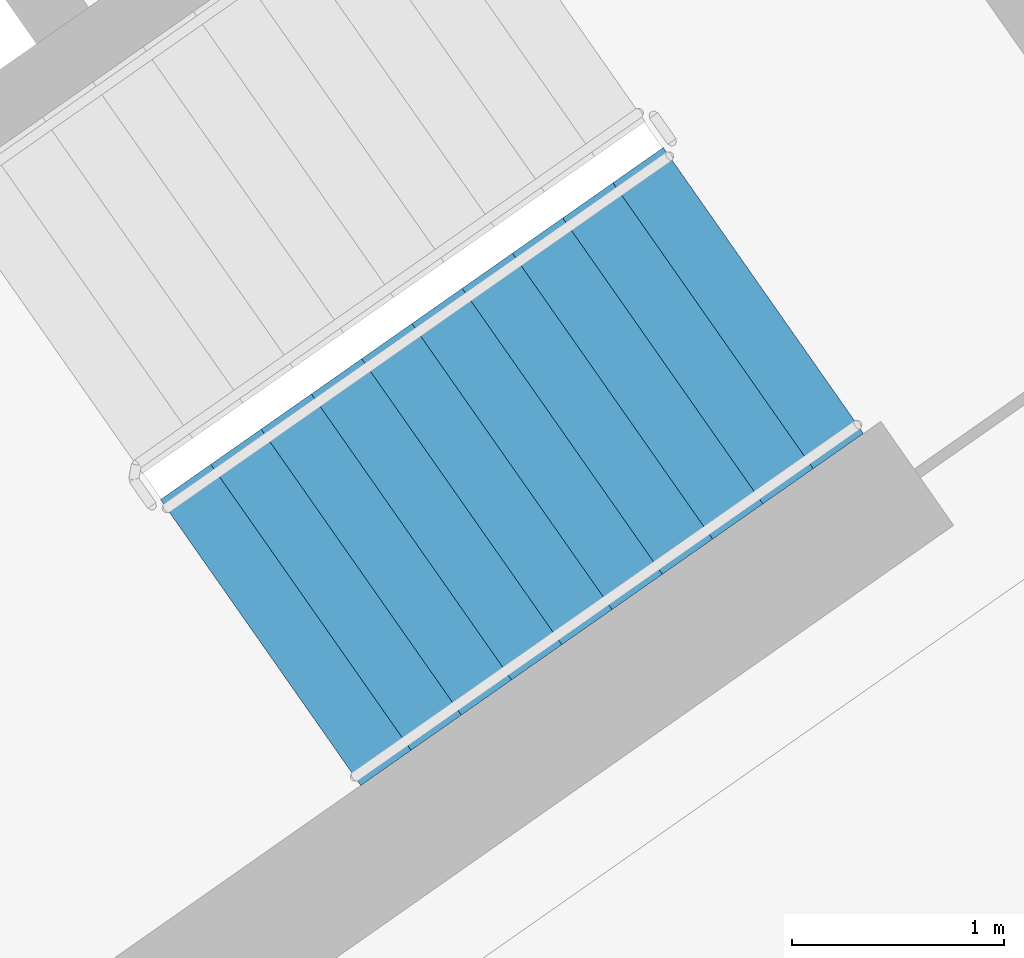
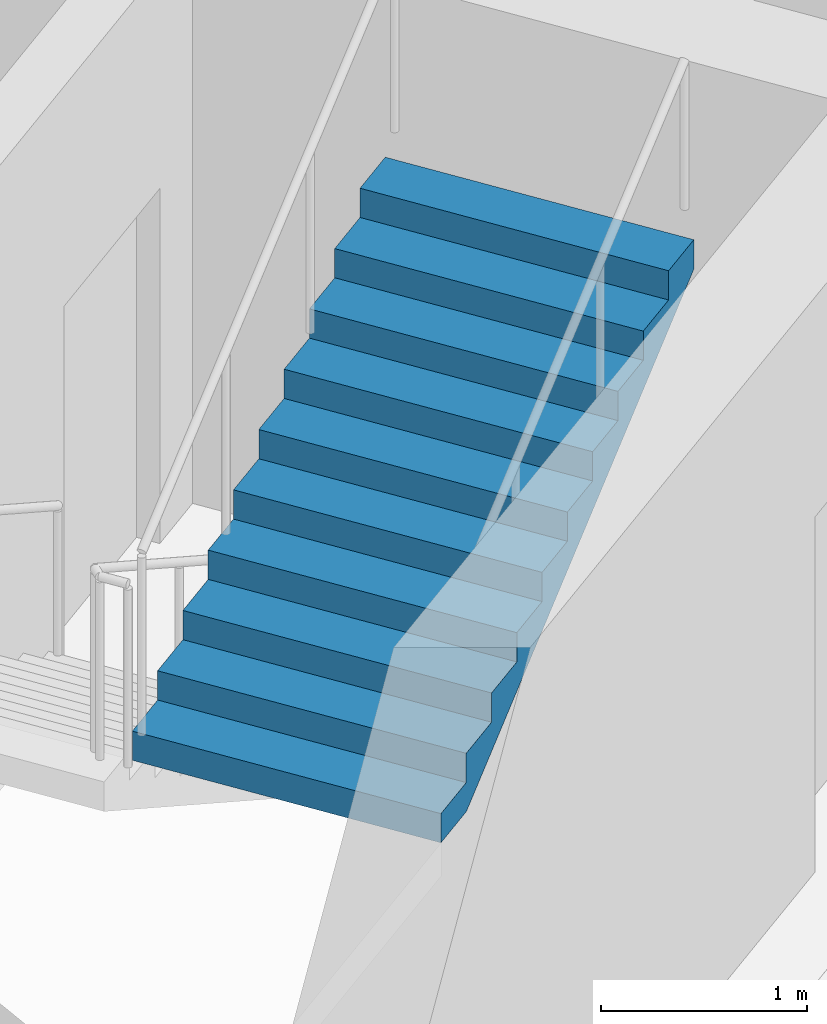
# One storey, part 14 of 27: 1 stair flight, 1 element without a shape of its own.
"""IFC4 building model written with IfcOpenShell, lengths in metres."""

from ifc_helpers import new_model, si_unit, direction, frame, origin, place, context, subcontext, project, spatial, faceted_brep, material, type_object, element, aggregate, save


model = new_model("IFC4")

# Units and contexts
model_context = context("Model", 3, precision=1e-05, world=origin(), true_north=direction((0.0, 1.0)))
body_context = subcontext(model_context, "Body", "Model", "MODEL_VIEW")
ifc_project = project(units=[si_unit("LENGTHUNIT", "METRE"), si_unit("AREAUNIT", "SQUARE_METRE"), si_unit("VOLUMEUNIT", "CUBIC_METRE"), si_unit("PLANEANGLEUNIT", "RADIAN"), si_unit("MASSUNIT", "GRAM", prefix="KILO")], contexts=[model_context])

# Site, building, storey
site_placement = place(None, origin())
site = spatial("IfcSite", under=ifc_project, at=site_placement, CompositionType="ELEMENT")
building_placement = place(site_placement, origin())
building = spatial("IfcBuilding", under=site, at=building_placement, Name="Qamariyya Broadcast Tower", CompositionType="ELEMENT")
storey_placement = place(building_placement, frame((0.0, 0.0, 194.89990234375)))
storey = spatial("IfcBuildingStorey", under=building, at=storey_placement, Name="L46", CompositionType="ELEMENT", Elevation=194.89990234375)

# Stair, stair flight
ifc_material = material(Name="Concrete C50/60", Category="concrete")
stair_type = type_object("IfcStairType", Name="Exit stair 22 risers of 173 mm", PredefinedType="HALF_TURN_STAIR", material=ifc_material)
stair_placement = place(storey_placement, origin())
stair = element("IfcStair", 1, at=stair_placement, inside=storey, type_object=stair_type, Name="L46 Stair E1", PredefinedType="HALF_TURN_STAIR")
stair_flight_type = type_object("IfcStairFlightType", Name="Exit stair flight 11 risers of 173 mm", PredefinedType="STRAIGHT", material=ifc_material)
stair_flight_placement = place(storey_placement, frame((44.693359375, -58.64599609375, 1.900146484375), z_axis=(0.0, 0.0, 1.0), x_axis=(0.819152044289, 0.573576436351, 0.0)))
stair_flight = element("IfcStairFlight", 2, at=stair_flight_placement, type_object=stair_flight_type, Name="ST-E1 flight 2", NumberOfRisers=11, NumberOfTreads=10, PredefinedType="STRAIGHT", RiserHeight=0.172727273, TreadLength=0.29, context=body_context, shape_type="Brep", body=[
    faceted_brep([(0.0, 0.824951171875, 0.0), (0.0, 0.824951171875, 0.172607421875), (0.2900390625, 0.824951171875, 0.172607421875), (0.2900390625, 0.824951171875, 0.345458984375), (0.580078125, 0.824951171875, 0.345458984375), (0.580078125, 0.824951171875, 0.51806640625), (0.8701171875, 0.824951171875, 0.51806640625), (0.8701171875, 0.824951171875, 0.69091796875), (1.159912109375, 0.824951171875, 0.69091796875), (1.159912109375, 0.824951171875, 0.863525390625), (1.449951171875, 0.824951171875, 0.863525390625), (1.449951171875, 0.824951171875, 1.036376953125), (1.739990234375, 0.824951171875, 1.036376953125), (1.739990234375, 0.824951171875, 1.208984375), (2.030029296875, 0.824951171875, 1.208984375), (2.030029296875, 0.824951171875, 1.3818359375), (2.320068359375, 0.824951171875, 1.3818359375), (2.320068359375, 0.824951171875, 1.554443359375), (2.610107421875, 0.824951171875, 1.554443359375), (2.610107421875, 0.824951171875, 1.727294921875), (2.89990234375, 0.824951171875, 1.727294921875), (2.89990234375, 0.824951171875, 1.552734375), (0.29296875, 0.824951171875, 0.0), (0.29296875, -0.824951171875, 0.0), (2.89990234375, -0.824951171875, 1.552734375), (2.89990234375, -0.824951171875, 1.727294921875), (2.610107421875, -0.824951171875, 1.727294921875), (2.610107421875, -0.824951171875, 1.554443359375), (2.320068359375, -0.824951171875, 1.554443359375), (2.320068359375, -0.824951171875, 1.3818359375), (2.030029296875, -0.824951171875, 1.3818359375), (2.030029296875, -0.824951171875, 1.208984375), (1.739990234375, -0.824951171875, 1.208984375), (1.739990234375, -0.824951171875, 1.036376953125), (1.449951171875, -0.824951171875, 1.036376953125), (1.449951171875, -0.824951171875, 0.863525390625), (1.159912109375, -0.824951171875, 0.863525390625), (1.159912109375, -0.824951171875, 0.69091796875), (0.8701171875, -0.824951171875, 0.69091796875), (0.8701171875, -0.824951171875, 0.51806640625), (0.580078125, -0.824951171875, 0.51806640625), (0.580078125, -0.824951171875, 0.345458984375), (0.2900390625, -0.824951171875, 0.345458984375), (0.2900390625, -0.824951171875, 0.172607421875), (0.0, -0.824951171875, 0.172607421875), (0.0, -0.824951171875, 0.0), (0.0, 0.10009765625, 0.0), (0.0, 0.086669921875, 0.0), (0.0, 0.0732421875, 0.0), (0.0, 0.06005859375, 0.0), (0.0, 0.046630859375, 0.0), (0.0, 0.033447265625, 0.0), (0.0, 0.02001953125, 0.0), (0.0, 0.006591796875, 0.0), (0.0, -0.006591796875, 0.0), (0.0, -0.02001953125, 0.0), (0.0, -0.033447265625, 0.0), (0.0, -0.046630859375, 0.0), (0.0, -0.06005859375, 0.0), (0.0, -0.0732421875, 0.0), (0.0, -0.086669921875, 0.0), (0.0, -0.10009765625, 0.0), (0.0, -0.10009765625, 0.172607421875), (0.0, -0.086669921875, 0.172607421875), (0.0, -0.0732421875, 0.172607421875), (0.0, -0.06005859375, 0.172607421875), (0.0, -0.046630859375, 0.172607421875), (0.0, -0.033447265625, 0.172607421875), (0.0, -0.02001953125, 0.172607421875), (0.0, -0.006591796875, 0.172607421875), (0.0, 0.006591796875, 0.172607421875), (0.0, 0.02001953125, 0.172607421875), (0.0, 0.033447265625, 0.172607421875), (0.0, 0.046630859375, 0.172607421875), (0.0, 0.06005859375, 0.172607421875), (0.0, 0.0732421875, 0.172607421875), (0.0, 0.086669921875, 0.172607421875), (0.0, 0.10009765625, 0.172607421875), (0.2900390625, -0.10009765625, 0.172607421875), (0.2900390625, -0.086669921875, 0.172607421875), (0.2900390625, -0.0732421875, 0.172607421875), (0.2900390625, -0.06005859375, 0.172607421875), (0.2900390625, -0.046630859375, 0.172607421875), (0.2900390625, -0.033447265625, 0.172607421875), (0.2900390625, -0.02001953125, 0.172607421875), (0.2900390625, -0.006591796875, 0.172607421875), (0.2900390625, 0.006591796875, 0.172607421875), (0.2900390625, 0.02001953125, 0.172607421875), (0.2900390625, 0.033447265625, 0.172607421875), (0.2900390625, 0.046630859375, 0.172607421875), (0.2900390625, 0.06005859375, 0.172607421875), (0.2900390625, 0.0732421875, 0.172607421875), (0.2900390625, 0.086669921875, 0.172607421875), (0.2900390625, 0.10009765625, 0.172607421875), (0.2900390625, -0.10009765625, 0.345458984375), (0.2900390625, -0.086669921875, 0.345458984375), (0.2900390625, -0.0732421875, 0.345458984375), (0.2900390625, -0.06005859375, 0.345458984375), (0.2900390625, -0.046630859375, 0.345458984375), (0.2900390625, -0.033447265625, 0.345458984375), (0.2900390625, -0.02001953125, 0.345458984375), (0.2900390625, -0.006591796875, 0.345458984375), (0.2900390625, 0.006591796875, 0.345458984375), (0.2900390625, 0.02001953125, 0.345458984375), (0.2900390625, 0.033447265625, 0.345458984375), (0.2900390625, 0.046630859375, 0.345458984375), (0.2900390625, 0.06005859375, 0.345458984375), (0.2900390625, 0.0732421875, 0.345458984375), (0.2900390625, 0.086669921875, 0.345458984375), (0.2900390625, 0.10009765625, 0.345458984375), (0.580078125, -0.10009765625, 0.345458984375), (0.580078125, -0.086669921875, 0.345458984375), (0.580078125, -0.0732421875, 0.345458984375), (0.580078125, -0.06005859375, 0.345458984375), (0.580078125, -0.046630859375, 0.345458984375), (0.580078125, -0.033447265625, 0.345458984375), (0.580078125, -0.02001953125, 0.345458984375), (0.580078125, -0.006591796875, 0.345458984375), (0.580078125, 0.006591796875, 0.345458984375), (0.580078125, 0.02001953125, 0.345458984375), (0.580078125, 0.033447265625, 0.345458984375), (0.580078125, 0.046630859375, 0.345458984375), (0.580078125, 0.06005859375, 0.345458984375), (0.580078125, 0.0732421875, 0.345458984375), (0.580078125, 0.086669921875, 0.345458984375), (0.580078125, 0.10009765625, 0.345458984375), (0.580078125, -0.10009765625, 0.51806640625), (0.580078125, -0.086669921875, 0.51806640625), (0.580078125, -0.0732421875, 0.51806640625), (0.580078125, -0.06005859375, 0.51806640625), (0.580078125, -0.046630859375, 0.51806640625), (0.580078125, -0.033447265625, 0.51806640625), (0.580078125, -0.02001953125, 0.51806640625), (0.580078125, -0.006591796875, 0.51806640625), (0.580078125, 0.006591796875, 0.51806640625), (0.580078125, 0.02001953125, 0.51806640625), (0.580078125, 0.033447265625, 0.51806640625), (0.580078125, 0.046630859375, 0.51806640625), (0.580078125, 0.06005859375, 0.51806640625), (0.580078125, 0.0732421875, 0.51806640625), (0.580078125, 0.086669921875, 0.51806640625), (0.580078125, 0.10009765625, 0.51806640625), (0.8701171875, -0.10009765625, 0.51806640625), (0.8701171875, -0.086669921875, 0.51806640625), (0.8701171875, -0.0732421875, 0.51806640625), (0.8701171875, -0.06005859375, 0.51806640625), (0.8701171875, -0.046630859375, 0.51806640625), (0.8701171875, -0.033447265625, 0.51806640625), (0.8701171875, -0.02001953125, 0.51806640625), (0.8701171875, -0.006591796875, 0.51806640625), (0.8701171875, 0.006591796875, 0.51806640625), (0.8701171875, 0.02001953125, 0.51806640625), (0.8701171875, 0.033447265625, 0.51806640625), (0.8701171875, 0.046630859375, 0.51806640625), (0.8701171875, 0.06005859375, 0.51806640625), (0.8701171875, 0.0732421875, 0.51806640625), (0.8701171875, 0.086669921875, 0.51806640625), (0.8701171875, 0.10009765625, 0.51806640625), (0.8701171875, -0.10009765625, 0.69091796875), (0.8701171875, -0.086669921875, 0.69091796875), (0.8701171875, -0.0732421875, 0.69091796875), (0.8701171875, -0.06005859375, 0.69091796875), (0.8701171875, -0.046630859375, 0.69091796875), (0.8701171875, -0.033447265625, 0.69091796875), (0.8701171875, -0.02001953125, 0.69091796875), (0.8701171875, -0.006591796875, 0.69091796875), (0.8701171875, 0.006591796875, 0.69091796875), (0.8701171875, 0.02001953125, 0.69091796875), (0.8701171875, 0.033447265625, 0.69091796875), (0.8701171875, 0.046630859375, 0.69091796875), (0.8701171875, 0.06005859375, 0.69091796875), (0.8701171875, 0.0732421875, 0.69091796875), (0.8701171875, 0.086669921875, 0.69091796875), (0.8701171875, 0.10009765625, 0.69091796875), (1.159912109375, -0.10009765625, 0.69091796875), (1.159912109375, -0.086669921875, 0.69091796875), (1.159912109375, -0.0732421875, 0.69091796875), (1.159912109375, -0.06005859375, 0.69091796875), (1.159912109375, -0.046630859375, 0.69091796875), (1.159912109375, -0.033447265625, 0.69091796875), (1.159912109375, -0.02001953125, 0.69091796875), (1.159912109375, -0.006591796875, 0.69091796875), (1.159912109375, 0.006591796875, 0.69091796875), (1.159912109375, 0.02001953125, 0.69091796875), (1.159912109375, 0.033447265625, 0.69091796875), (1.159912109375, 0.046630859375, 0.69091796875), (1.159912109375, 0.06005859375, 0.69091796875), (1.159912109375, 0.0732421875, 0.69091796875), (1.159912109375, 0.086669921875, 0.69091796875), (1.159912109375, 0.10009765625, 0.69091796875), (1.159912109375, -0.10009765625, 0.863525390625), (1.159912109375, -0.086669921875, 0.863525390625), (1.159912109375, -0.0732421875, 0.863525390625), (1.159912109375, -0.06005859375, 0.863525390625), (1.159912109375, -0.046630859375, 0.863525390625), (1.159912109375, -0.033447265625, 0.863525390625), (1.159912109375, -0.02001953125, 0.863525390625), (1.159912109375, -0.006591796875, 0.863525390625), (1.159912109375, 0.006591796875, 0.863525390625), (1.159912109375, 0.02001953125, 0.863525390625), (1.159912109375, 0.033447265625, 0.863525390625), (1.159912109375, 0.046630859375, 0.863525390625), (1.159912109375, 0.06005859375, 0.863525390625), (1.159912109375, 0.0732421875, 0.863525390625), (1.159912109375, 0.086669921875, 0.863525390625), (1.159912109375, 0.10009765625, 0.863525390625), (1.449951171875, -0.10009765625, 0.863525390625), (1.449951171875, -0.086669921875, 0.863525390625), (1.449951171875, -0.0732421875, 0.863525390625), (1.449951171875, -0.06005859375, 0.863525390625), (1.449951171875, -0.046630859375, 0.863525390625), (1.449951171875, -0.033447265625, 0.863525390625), (1.449951171875, -0.02001953125, 0.863525390625), (1.449951171875, -0.006591796875, 0.863525390625), (1.449951171875, 0.006591796875, 0.863525390625), (1.449951171875, 0.02001953125, 0.863525390625), (1.449951171875, 0.033447265625, 0.863525390625), (1.449951171875, 0.046630859375, 0.863525390625), (1.449951171875, 0.06005859375, 0.863525390625), (1.449951171875, 0.0732421875, 0.863525390625), (1.449951171875, 0.086669921875, 0.863525390625), (1.449951171875, 0.10009765625, 0.863525390625), (1.449951171875, -0.10009765625, 1.036376953125), (1.449951171875, -0.086669921875, 1.036376953125), (1.449951171875, -0.0732421875, 1.036376953125), (1.449951171875, -0.06005859375, 1.036376953125), (1.449951171875, -0.046630859375, 1.036376953125), (1.449951171875, -0.033447265625, 1.036376953125), (1.449951171875, -0.02001953125, 1.036376953125), (1.449951171875, -0.006591796875, 1.036376953125), (1.449951171875, 0.006591796875, 1.036376953125), (1.449951171875, 0.02001953125, 1.036376953125), (1.449951171875, 0.033447265625, 1.036376953125), (1.449951171875, 0.046630859375, 1.036376953125), (1.449951171875, 0.06005859375, 1.036376953125), (1.449951171875, 0.0732421875, 1.036376953125), (1.449951171875, 0.086669921875, 1.036376953125), (1.449951171875, 0.10009765625, 1.036376953125), (1.739990234375, -0.10009765625, 1.036376953125), (1.739990234375, -0.086669921875, 1.036376953125), (1.739990234375, -0.0732421875, 1.036376953125), (1.739990234375, -0.06005859375, 1.036376953125), (1.739990234375, -0.046630859375, 1.036376953125), (1.739990234375, -0.033447265625, 1.036376953125), (1.739990234375, -0.02001953125, 1.036376953125), (1.739990234375, -0.006591796875, 1.036376953125), (1.739990234375, 0.006591796875, 1.036376953125), (1.739990234375, 0.02001953125, 1.036376953125), (1.739990234375, 0.033447265625, 1.036376953125), (1.739990234375, 0.046630859375, 1.036376953125), (1.739990234375, 0.06005859375, 1.036376953125), (1.739990234375, 0.0732421875, 1.036376953125), (1.739990234375, 0.086669921875, 1.036376953125), (1.739990234375, 0.10009765625, 1.036376953125), (1.739990234375, -0.10009765625, 1.208984375), (1.739990234375, -0.086669921875, 1.208984375), (1.739990234375, -0.0732421875, 1.208984375), (1.739990234375, -0.06005859375, 1.208984375), (1.739990234375, -0.046630859375, 1.208984375), (1.739990234375, -0.033447265625, 1.208984375), (1.739990234375, -0.02001953125, 1.208984375), (1.739990234375, -0.006591796875, 1.208984375), (1.739990234375, 0.006591796875, 1.208984375), (1.739990234375, 0.02001953125, 1.208984375), (1.739990234375, 0.033447265625, 1.208984375), (1.739990234375, 0.046630859375, 1.208984375), (1.739990234375, 0.06005859375, 1.208984375), (1.739990234375, 0.0732421875, 1.208984375), (1.739990234375, 0.086669921875, 1.208984375), (1.739990234375, 0.10009765625, 1.208984375), (2.030029296875, -0.10009765625, 1.208984375), (2.030029296875, -0.086669921875, 1.208984375), (2.030029296875, -0.0732421875, 1.208984375), (2.030029296875, -0.06005859375, 1.208984375), (2.030029296875, -0.046630859375, 1.208984375), (2.030029296875, -0.033447265625, 1.208984375), (2.030029296875, -0.02001953125, 1.208984375), (2.030029296875, -0.006591796875, 1.208984375), (2.030029296875, 0.006591796875, 1.208984375), (2.030029296875, 0.02001953125, 1.208984375), (2.030029296875, 0.033447265625, 1.208984375), (2.030029296875, 0.046630859375, 1.208984375), (2.030029296875, 0.06005859375, 1.208984375), (2.030029296875, 0.0732421875, 1.208984375), (2.030029296875, 0.086669921875, 1.208984375), (2.030029296875, 0.10009765625, 1.208984375), (2.030029296875, -0.10009765625, 1.3818359375), (2.030029296875, -0.086669921875, 1.3818359375), (2.030029296875, -0.0732421875, 1.3818359375), (2.030029296875, -0.06005859375, 1.3818359375), (2.030029296875, -0.046630859375, 1.3818359375), (2.030029296875, -0.033447265625, 1.3818359375), (2.030029296875, -0.02001953125, 1.3818359375), (2.030029296875, -0.006591796875, 1.3818359375), (2.030029296875, 0.006591796875, 1.3818359375), (2.030029296875, 0.02001953125, 1.3818359375), (2.030029296875, 0.033447265625, 1.3818359375), (2.030029296875, 0.046630859375, 1.3818359375), (2.030029296875, 0.06005859375, 1.3818359375), (2.030029296875, 0.0732421875, 1.3818359375), (2.030029296875, 0.086669921875, 1.3818359375), (2.030029296875, 0.10009765625, 1.3818359375), (2.320068359375, -0.10009765625, 1.3818359375), (2.320068359375, -0.086669921875, 1.3818359375), (2.320068359375, -0.0732421875, 1.3818359375), (2.320068359375, -0.06005859375, 1.3818359375), (2.320068359375, -0.046630859375, 1.3818359375), (2.320068359375, -0.033447265625, 1.3818359375), (2.320068359375, -0.02001953125, 1.3818359375), (2.320068359375, -0.006591796875, 1.3818359375), (2.320068359375, 0.006591796875, 1.3818359375), (2.320068359375, 0.02001953125, 1.3818359375), (2.320068359375, 0.033447265625, 1.3818359375), (2.320068359375, 0.046630859375, 1.3818359375), (2.320068359375, 0.06005859375, 1.3818359375), (2.320068359375, 0.0732421875, 1.3818359375), (2.320068359375, 0.086669921875, 1.3818359375), (2.320068359375, 0.10009765625, 1.3818359375), (2.320068359375, -0.10009765625, 1.554443359375), (2.320068359375, -0.086669921875, 1.554443359375), (2.320068359375, -0.0732421875, 1.554443359375), (2.320068359375, -0.06005859375, 1.554443359375), (2.320068359375, -0.046630859375, 1.554443359375), (2.320068359375, -0.033447265625, 1.554443359375), (2.320068359375, -0.02001953125, 1.554443359375), (2.320068359375, -0.006591796875, 1.554443359375), (2.320068359375, 0.006591796875, 1.554443359375), (2.320068359375, 0.02001953125, 1.554443359375), (2.320068359375, 0.033447265625, 1.554443359375), (2.320068359375, 0.046630859375, 1.554443359375), (2.320068359375, 0.06005859375, 1.554443359375), (2.320068359375, 0.0732421875, 1.554443359375), (2.320068359375, 0.086669921875, 1.554443359375), (2.320068359375, 0.10009765625, 1.554443359375), (2.610107421875, -0.10009765625, 1.554443359375), (2.610107421875, -0.086669921875, 1.554443359375), (2.610107421875, -0.0732421875, 1.554443359375), (2.610107421875, -0.06005859375, 1.554443359375), (2.610107421875, -0.046630859375, 1.554443359375), (2.610107421875, -0.033447265625, 1.554443359375), (2.610107421875, -0.02001953125, 1.554443359375), (2.610107421875, -0.006591796875, 1.554443359375), (2.610107421875, 0.006591796875, 1.554443359375), (2.610107421875, 0.02001953125, 1.554443359375), (2.610107421875, 0.033447265625, 1.554443359375), (2.610107421875, 0.046630859375, 1.554443359375), (2.610107421875, 0.06005859375, 1.554443359375), (2.610107421875, 0.0732421875, 1.554443359375), (2.610107421875, 0.086669921875, 1.554443359375), (2.610107421875, 0.10009765625, 1.554443359375), (2.610107421875, -0.10009765625, 1.727294921875), (2.610107421875, -0.086669921875, 1.727294921875), (2.610107421875, -0.0732421875, 1.727294921875), (2.610107421875, -0.06005859375, 1.727294921875), (2.610107421875, -0.046630859375, 1.727294921875), (2.610107421875, -0.033447265625, 1.727294921875), (2.610107421875, -0.02001953125, 1.727294921875), (2.610107421875, -0.006591796875, 1.727294921875), (2.610107421875, 0.006591796875, 1.727294921875), (2.610107421875, 0.02001953125, 1.727294921875), (2.610107421875, 0.033447265625, 1.727294921875), (2.610107421875, 0.046630859375, 1.727294921875), (2.610107421875, 0.06005859375, 1.727294921875), (2.610107421875, 0.0732421875, 1.727294921875), (2.610107421875, 0.086669921875, 1.727294921875), (2.610107421875, 0.10009765625, 1.727294921875), (2.89990234375, -0.10009765625, 1.727294921875), (2.89990234375, -0.086669921875, 1.727294921875), (2.89990234375, -0.0732421875, 1.727294921875), (2.89990234375, -0.06005859375, 1.727294921875), (2.89990234375, -0.046630859375, 1.727294921875), (2.89990234375, -0.033447265625, 1.727294921875), (2.89990234375, -0.02001953125, 1.727294921875), (2.89990234375, -0.006591796875, 1.727294921875), (2.89990234375, 0.006591796875, 1.727294921875), (2.89990234375, 0.02001953125, 1.727294921875), (2.89990234375, 0.033447265625, 1.727294921875), (2.89990234375, 0.046630859375, 1.727294921875), (2.89990234375, 0.06005859375, 1.727294921875), (2.89990234375, 0.0732421875, 1.727294921875), (2.89990234375, 0.086669921875, 1.727294921875), (2.89990234375, 0.10009765625, 1.727294921875), (2.89990234375, -0.10009765625, 1.552734375), (2.89990234375, -0.086669921875, 1.552734375), (2.89990234375, -0.0732421875, 1.552734375), (2.89990234375, -0.06005859375, 1.552734375), (2.89990234375, -0.046630859375, 1.552734375), (2.89990234375, -0.033447265625, 1.552734375), (2.89990234375, -0.02001953125, 1.552734375), (2.89990234375, -0.006591796875, 1.552734375), (2.89990234375, 0.006591796875, 1.552734375), (2.89990234375, 0.02001953125, 1.552734375), (2.89990234375, 0.033447265625, 1.552734375), (2.89990234375, 0.046630859375, 1.552734375), (2.89990234375, 0.06005859375, 1.552734375), (2.89990234375, 0.0732421875, 1.552734375), (2.89990234375, 0.086669921875, 1.552734375), (2.89990234375, 0.10009765625, 1.552734375), (0.29296875, -0.10009765625, 0.0), (0.29296875, -0.086669921875, 0.0), (0.29296875, -0.0732421875, 0.0), (0.29296875, -0.06005859375, 0.0), (0.29296875, -0.046630859375, 0.0), (0.29296875, -0.033447265625, 0.0), (0.29296875, -0.02001953125, 0.0), (0.29296875, -0.006591796875, 0.0), (0.29296875, 0.006591796875, 0.0), (0.29296875, 0.02001953125, 0.0), (0.29296875, 0.033447265625, 0.0), (0.29296875, 0.046630859375, 0.0), (0.29296875, 0.06005859375, 0.0), (0.29296875, 0.0732421875, 0.0), (0.29296875, 0.086669921875, 0.0), (0.29296875, 0.10009765625, 0.0)], [[[0, 1, 2, 3, 4, 5, 6, 7, 8, 9, 10, 11, 12, 13, 14, 15, 16, 17, 18, 19, 20, 21, 22]], [[23, 24, 25, 26, 27, 28, 29, 30, 31, 32, 33, 34, 35, 36, 37, 38, 39, 40, 41, 42, 43, 44, 45]], [[0, 46, 47, 48, 49, 50, 51, 52, 53, 54, 55, 56, 57, 58, 59, 60, 61, 45, 44, 62, 63, 64, 65, 66, 67, 68, 69, 70, 71, 72, 73, 74, 75, 76, 77, 1]], [[1, 77, 76, 75, 74, 73, 72, 71, 70, 69, 68, 67, 66, 65, 64, 63, 62, 44, 43, 78, 79, 80, 81, 82, 83, 84, 85, 86, 87, 88, 89, 90, 91, 92, 93, 2]], [[2, 93, 92, 91, 90, 89, 88, 87, 86, 85, 84, 83, 82, 81, 80, 79, 78, 43, 42, 94, 95, 96, 97, 98, 99, 100, 101, 102, 103, 104, 105, 106, 107, 108, 109, 3]], [[3, 109, 108, 107, 106, 105, 104, 103, 102, 101, 100, 99, 98, 97, 96, 95, 94, 42, 41, 110, 111, 112, 113, 114, 115, 116, 117, 118, 119, 120, 121, 122, 123, 124, 125, 4]], [[4, 125, 124, 123, 122, 121, 120, 119, 118, 117, 116, 115, 114, 113, 112, 111, 110, 41, 40, 126, 127, 128, 129, 130, 131, 132, 133, 134, 135, 136, 137, 138, 139, 140, 141, 5]], [[5, 141, 140, 139, 138, 137, 136, 135, 134, 133, 132, 131, 130, 129, 128, 127, 126, 40, 39, 142, 143, 144, 145, 146, 147, 148, 149, 150, 151, 152, 153, 154, 155, 156, 157, 6]], [[6, 157, 156, 155, 154, 153, 152, 151, 150, 149, 148, 147, 146, 145, 144, 143, 142, 39, 38, 158, 159, 160, 161, 162, 163, 164, 165, 166, 167, 168, 169, 170, 171, 172, 173, 7]], [[7, 173, 172, 171, 170, 169, 168, 167, 166, 165, 164, 163, 162, 161, 160, 159, 158, 38, 37, 174, 175, 176, 177, 178, 179, 180, 181, 182, 183, 184, 185, 186, 187, 188, 189, 8]], [[8, 189, 188, 187, 186, 185, 184, 183, 182, 181, 180, 179, 178, 177, 176, 175, 174, 37, 36, 190, 191, 192, 193, 194, 195, 196, 197, 198, 199, 200, 201, 202, 203, 204, 205, 9]], [[9, 205, 204, 203, 202, 201, 200, 199, 198, 197, 196, 195, 194, 193, 192, 191, 190, 36, 35, 206, 207, 208, 209, 210, 211, 212, 213, 214, 215, 216, 217, 218, 219, 220, 221, 10]], [[10, 221, 220, 219, 218, 217, 216, 215, 214, 213, 212, 211, 210, 209, 208, 207, 206, 35, 34, 222, 223, 224, 225, 226, 227, 228, 229, 230, 231, 232, 233, 234, 235, 236, 237, 11]], [[11, 237, 236, 235, 234, 233, 232, 231, 230, 229, 228, 227, 226, 225, 224, 223, 222, 34, 33, 238, 239, 240, 241, 242, 243, 244, 245, 246, 247, 248, 249, 250, 251, 252, 253, 12]], [[12, 253, 252, 251, 250, 249, 248, 247, 246, 245, 244, 243, 242, 241, 240, 239, 238, 33, 32, 254, 255, 256, 257, 258, 259, 260, 261, 262, 263, 264, 265, 266, 267, 268, 269, 13]], [[13, 269, 268, 267, 266, 265, 264, 263, 262, 261, 260, 259, 258, 257, 256, 255, 254, 32, 31, 270, 271, 272, 273, 274, 275, 276, 277, 278, 279, 280, 281, 282, 283, 284, 285, 14]], [[14, 285, 284, 283, 282, 281, 280, 279, 278, 277, 276, 275, 274, 273, 272, 271, 270, 31, 30, 286, 287, 288, 289, 290, 291, 292, 293, 294, 295, 296, 297, 298, 299, 300, 301, 15]], [[15, 301, 300, 299, 298, 297, 296, 295, 294, 293, 292, 291, 290, 289, 288, 287, 286, 30, 29, 302, 303, 304, 305, 306, 307, 308, 309, 310, 311, 312, 313, 314, 315, 316, 317, 16]], [[16, 317, 316, 315, 314, 313, 312, 311, 310, 309, 308, 307, 306, 305, 304, 303, 302, 29, 28, 318, 319, 320, 321, 322, 323, 324, 325, 326, 327, 328, 329, 330, 331, 332, 333, 17]], [[17, 333, 332, 331, 330, 329, 328, 327, 326, 325, 324, 323, 322, 321, 320, 319, 318, 28, 27, 334, 335, 336, 337, 338, 339, 340, 341, 342, 343, 344, 345, 346, 347, 348, 349, 18]], [[18, 349, 348, 347, 346, 345, 344, 343, 342, 341, 340, 339, 338, 337, 336, 335, 334, 27, 26, 350, 351, 352, 353, 354, 355, 356, 357, 358, 359, 360, 361, 362, 363, 364, 365, 19]], [[19, 365, 364, 363, 362, 361, 360, 359, 358, 357, 356, 355, 354, 353, 352, 351, 350, 26, 25, 366, 367, 368, 369, 370, 371, 372, 373, 374, 375, 376, 377, 378, 379, 380, 381, 20]], [[20, 381, 380, 379, 378, 377, 376, 375, 374, 373, 372, 371, 370, 369, 368, 367, 366, 25, 24, 382, 383, 384, 385, 386, 387, 388, 389, 390, 391, 392, 393, 394, 395, 396, 397, 21]], [[21, 397, 396, 395, 394, 393, 392, 391, 390, 389, 388, 387, 386, 385, 384, 383, 382, 24, 23, 398, 399, 400, 401, 402, 403, 404, 405, 406, 407, 408, 409, 410, 411, 412, 413, 22]], [[22, 413, 412, 411, 410, 409, 408, 407, 406, 405, 404, 403, 402, 401, 400, 399, 398, 23, 45, 61, 60, 59, 58, 57, 56, 55, 54, 53, 52, 51, 50, 49, 48, 47, 46, 0]]]),
])
aggregate(stair, [stair_flight])

save(model, "model.ifc")
